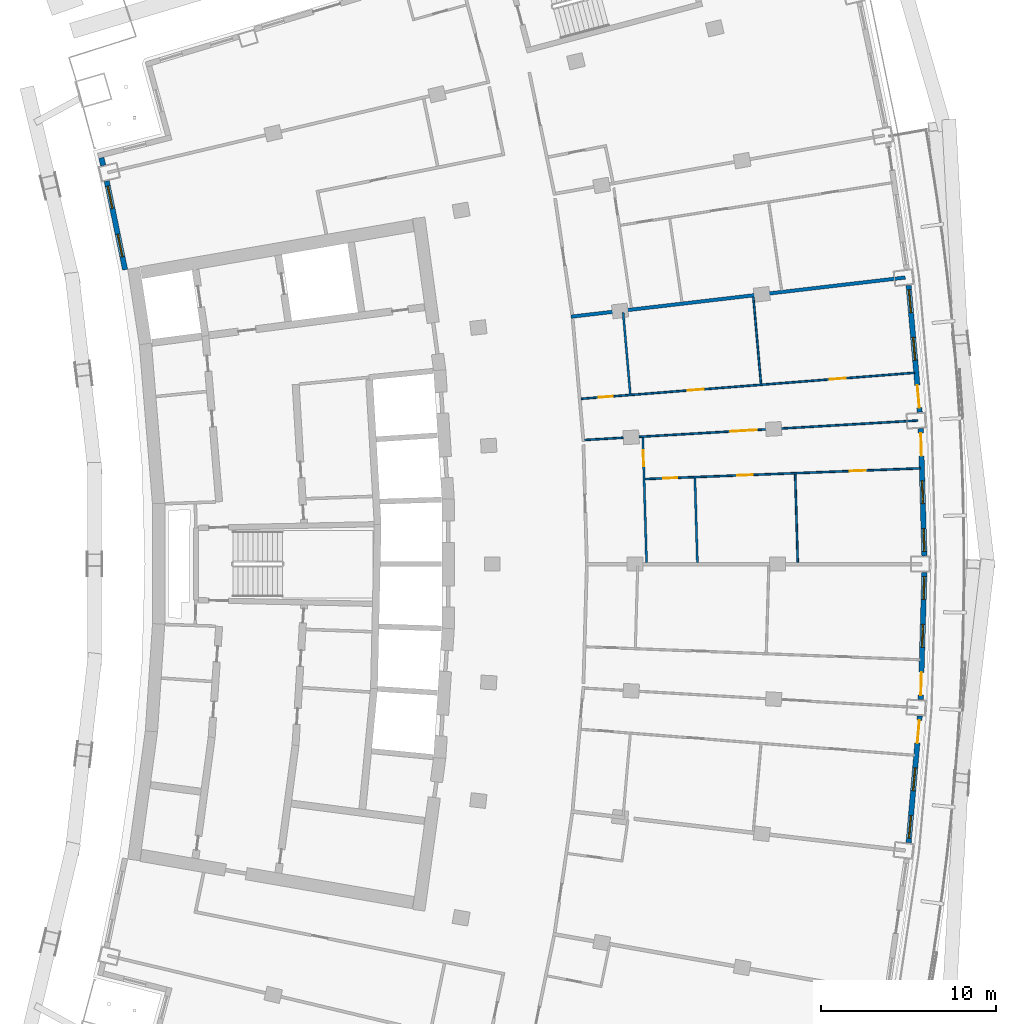
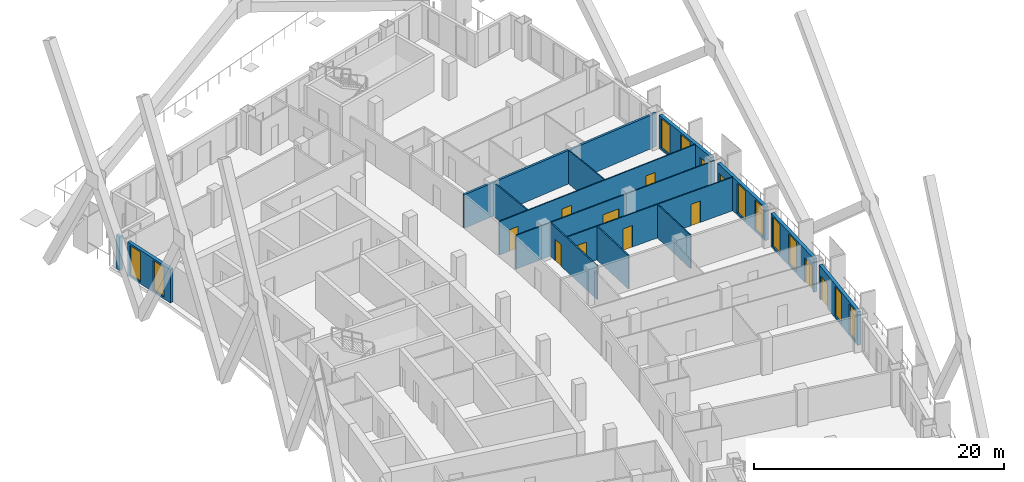
# One storey, part 14 of 20: 15 walls, 12 doors, 10 windows, 22 openings.
"""IFC4 building model written with IfcOpenShell, lengths in metres."""

from ifc_helpers import new_model, si_unit, direction, frame, frame_2d, origin, place, context, subcontext, project, spatial, rectangle, extrude, material, layer, layer_set, type_object, element, fill, save


model = new_model("IFC4")

# Units and contexts
model_context = context("Model", 3, precision=1e-05, world=origin(), true_north=direction((0.0, 1.0)))
body_context = subcontext(model_context, "Body", "Model", "MODEL_VIEW")
ifc_project = project(units=[si_unit("LENGTHUNIT", "METRE"), si_unit("AREAUNIT", "SQUARE_METRE"), si_unit("VOLUMEUNIT", "CUBIC_METRE"), si_unit("PLANEANGLEUNIT", "RADIAN"), si_unit("MASSUNIT", "GRAM", prefix="KILO")], contexts=[model_context])

# Site, building, storey
site_placement = place(None, origin())
site = spatial("IfcSite", under=ifc_project, at=site_placement, CompositionType="ELEMENT")
building_placement = place(site_placement, origin())
building = spatial("IfcBuilding", under=site, at=building_placement, Name="Alderwake Tower", CompositionType="ELEMENT")
storey_placement = place(building_placement, frame((0.0, 0.0, 138.800048828125)))
storey = spatial("IfcBuildingStorey", under=building, at=storey_placement, Name="L33", CompositionType="ELEMENT", Elevation=138.800048828125)

# Wall, openings, door, windows
ifc_material_1 = material(Name="Precast concrete C50/60 spandrel panel", Category="concrete")
ifc_layer_1 = layer(ifc_material_1, 0.300048828125)
ifc_layer_set_1 = layer_set([ifc_layer_1], Name="External wall EW1 Precast concrete C50/60 spandrel")
wall_type_1 = type_object("IfcWallType", Name="External wall EW1 Precast concrete C50/60 spandrel", PredefinedType="SOLIDWALL", material=ifc_layer_set_1)
wall_1_placement = place(storey_placement, frame((59.53662109375, 45.12255859375, 0.0), z_axis=(0.0, 0.0, 1.0), x_axis=(0.08737260162, 0.996175701614, 0.0)))
wall_1 = element("IfcWall", 1, at=wall_1_placement, inside=storey, type_object=wall_type_1, Name="External wall 14", PredefinedType="SOLIDWALL", context=body_context, shape_type="SweptSolid", body=[
    extrude(rectangle(XDim=7.245361328125, YDim=0.300048828125, at=frame_2d((3.62255859375, 0.0))), origin(), (0.0, 0.0, 1.0), 3.280029296875),
])
opening_1_placement = place(wall_1_placement, frame((0.2470703125, 0.0, 0.199951171875)))
opening_1 = element("IfcOpeningElement", 2, at=opening_1_placement, cuts=wall_1, Name="Opening W1", PredefinedType="OPENING", context=body_context, shape_type="SweptSolid", body=[
    extrude(rectangle(XDim=1.300048828125, YDim=2.89990234375, at=frame_2d((0.64990234375, 1.449951171875))), frame((0.0, 0.159912109375, 0.0), z_axis=(0.0, -1.0, 0.0), x_axis=(1.0, 0.0, 0.0)), (0.0, 0.0, 1.0), 0.320068359375),
])
opening_2_placement = place(wall_1_placement, frame((2.97265625, 0.0, 0.199951171875)))
opening_2 = element("IfcOpeningElement", 3, at=opening_2_placement, cuts=wall_1, Name="Opening W1", PredefinedType="OPENING", context=body_context, shape_type="SweptSolid", body=[
    extrude(rectangle(XDim=1.300048828125, YDim=2.89990234375, at=frame_2d((0.64990234375, 1.449951171875))), frame((0.0, 0.159912109375, 0.0), z_axis=(0.0, -1.0, 0.0), x_axis=(1.0, 0.0, 0.0)), (0.0, 0.0, 1.0), 0.320068359375),
])
opening_3_placement = place(wall_1_placement, frame((5.698486328125, 0.0, 0.0)))
opening_3 = element("IfcOpeningElement", 4, at=opening_3_placement, cuts=wall_1, Name="Opening D04", PredefinedType="OPENING", context=body_context, shape_type="SweptSolid", body=[
    extrude(rectangle(XDim=1.300048828125, YDim=2.39990234375, at=frame_2d((0.64990234375, 1.199951171875))), frame((0.0, 0.159912109375, 0.0), z_axis=(0.0, -1.0, 0.0), x_axis=(1.0, 0.0, 0.0)), (0.0, 0.0, 1.0), 0.320068359375),
])
ifc_material_2 = material(Name="Bronze tinted glass in aluminium frame", Category="aluminium")
door_type_1 = type_object("IfcDoorType", Name="Balcony door BD sliding", OperationType="SLIDING_TO_LEFT", PredefinedType="DOOR", material=ifc_material_2)
door_1_placement = place(opening_3_placement, origin())
door_1 = element("IfcDoor", 5, at=door_1_placement, inside=storey, type_object=door_type_1, Name="Door D04", OperationType="SLIDING_TO_LEFT", OverallHeight=2.39990234375, OverallWidth=1.300048828125, PredefinedType="DOOR", context=body_context, shape_type="SweptSolid", body=[
    extrude(rectangle(XDim=1.300048828125, YDim=2.39990234375, at=frame_2d((0.64990234375, 1.199951171875))), frame((0.0, 0.02490234375, 0.0), z_axis=(0.0, -1.0, 0.0), x_axis=(1.0, 0.0, 0.0)), (0.0, 0.0, 1.0), 0.050048828125),
])
fill(opening_3, door_1)
ifc_material_3 = material(Name="Bronze tinted glass in aluminium frame", Category="aluminium")
window_type = type_object("IfcWindowType", Name="Window W1 tall fixed and vent", PartitioningType="DOUBLE_PANEL_VERTICAL", PredefinedType="WINDOW", material=ifc_material_3)
window_1_placement = place(opening_1_placement, origin())
window_1 = element("IfcWindow", 6, at=window_1_placement, inside=storey, type_object=window_type, Name="Window W1 tall fixed and vent", OverallHeight=2.89990234375, OverallWidth=1.300048828125, PartitioningType="DOUBLE_PANEL_VERTICAL", PredefinedType="WINDOW", context=body_context, shape_type="SweptSolid", body=[
    extrude(rectangle(XDim=1.300048828125, YDim=2.89990234375, at=frame_2d((0.64990234375, 1.449951171875))), frame((0.0, 0.030029296875, 0.0), z_axis=(0.0, -1.0, 0.0), x_axis=(1.0, 0.0, 0.0)), (0.0, 0.0, 1.0), 0.06005859375),
])
fill(opening_1, window_1)
window_2_placement = place(opening_2_placement, origin())
window_2 = element("IfcWindow", 7, at=window_2_placement, inside=storey, type_object=window_type, Name="Window W1 tall fixed and vent", OverallHeight=2.89990234375, OverallWidth=1.300048828125, PartitioningType="DOUBLE_PANEL_VERTICAL", PredefinedType="WINDOW", context=body_context, shape_type="SweptSolid", body=[
    extrude(rectangle(XDim=1.300048828125, YDim=2.89990234375, at=frame_2d((0.64990234375, 1.449951171875))), frame((0.0, 0.030029296875, 0.0), z_axis=(0.0, -1.0, 0.0), x_axis=(1.0, 0.0, 0.0)), (0.0, 0.0, 1.0), 0.06005859375),
])
fill(opening_2, window_2)

wall_2_placement = place(storey_placement, frame((60.224853515625, 53.28466796875, 0.0), z_axis=(0.0, 0.0, 1.0), x_axis=(0.02918022007, 0.999574166711, 0.0)))
wall_2 = element("IfcWall", 8, at=wall_2_placement, inside=storey, type_object=wall_type_1, Name="External wall 15", PredefinedType="SOLIDWALL", context=body_context, shape_type="SweptSolid", body=[
    extrude(rectangle(XDim=7.24560546875, YDim=0.300048828125, at=frame_2d((3.622802734375, 0.0))), origin(), (0.0, 0.0, 1.0), 3.280029296875),
])
opening_4_placement = place(wall_2_placement, frame((0.2470703125, 0.0, 0.0)))
opening_4 = element("IfcOpeningElement", 9, at=opening_4_placement, cuts=wall_2, Name="Opening D05", PredefinedType="OPENING", context=body_context, shape_type="SweptSolid", body=[
    extrude(rectangle(XDim=1.300048828125, YDim=2.39990234375, at=frame_2d((0.64990234375, 1.199951171875))), frame((0.0, 0.159912109375, 0.0), z_axis=(0.0, -1.0, 0.0), x_axis=(1.0, 0.0, 0.0)), (0.0, 0.0, 1.0), 0.320068359375),
])
opening_5_placement = place(wall_2_placement, frame((2.97265625, 0.0, 0.199951171875)))
opening_5 = element("IfcOpeningElement", 10, at=opening_5_placement, cuts=wall_2, Name="Opening W1", PredefinedType="OPENING", context=body_context, shape_type="SweptSolid", body=[
    extrude(rectangle(XDim=1.300048828125, YDim=2.89990234375, at=frame_2d((0.64990234375, 1.449951171875))), frame((0.0, 0.159912109375, 0.0), z_axis=(0.0, -1.0, 0.0), x_axis=(1.0, 0.0, 0.0)), (0.0, 0.0, 1.0), 0.320068359375),
])
opening_6_placement = place(wall_2_placement, frame((5.698486328125, 0.0, 0.199951171875)))
opening_6 = element("IfcOpeningElement", 11, at=opening_6_placement, cuts=wall_2, Name="Opening W1", PredefinedType="OPENING", context=body_context, shape_type="SweptSolid", body=[
    extrude(rectangle(XDim=1.300048828125, YDim=2.89990234375, at=frame_2d((0.64990234375, 1.449951171875))), frame((0.0, 0.159912109375, 0.0), z_axis=(0.0, -1.0, 0.0), x_axis=(1.0, 0.0, 0.0)), (0.0, 0.0, 1.0), 0.320068359375),
])
door_2_placement = place(opening_4_placement, origin())
door_2 = element("IfcDoor", 12, at=door_2_placement, inside=storey, type_object=door_type_1, Name="Door D05", OperationType="SLIDING_TO_LEFT", OverallHeight=2.39990234375, OverallWidth=1.300048828125, PredefinedType="DOOR", context=body_context, shape_type="SweptSolid", body=[
    extrude(rectangle(XDim=1.300048828125, YDim=2.39990234375, at=frame_2d((0.64990234375, 1.199951171875))), frame((0.0, 0.02490234375, 0.0), z_axis=(0.0, -1.0, 0.0), x_axis=(1.0, 0.0, 0.0)), (0.0, 0.0, 1.0), 0.050048828125),
])
fill(opening_4, door_2)
window_3_placement = place(opening_5_placement, origin())
window_3 = element("IfcWindow", 13, at=window_3_placement, inside=storey, type_object=window_type, Name="Window W1 tall fixed and vent", OverallHeight=2.89990234375, OverallWidth=1.300048828125, PartitioningType="DOUBLE_PANEL_VERTICAL", PredefinedType="WINDOW", context=body_context, shape_type="SweptSolid", body=[
    extrude(rectangle(XDim=1.300048828125, YDim=2.89990234375, at=frame_2d((0.64990234375, 1.449951171875))), frame((0.0, 0.030029296875, 0.0), z_axis=(0.0, -1.0, 0.0), x_axis=(1.0, 0.0, 0.0)), (0.0, 0.0, 1.0), 0.06005859375),
])
fill(opening_5, window_3)
window_4_placement = place(opening_6_placement, origin())
window_4 = element("IfcWindow", 14, at=window_4_placement, inside=storey, type_object=window_type, Name="Window W1 tall fixed and vent", OverallHeight=2.89990234375, OverallWidth=1.300048828125, PartitioningType="DOUBLE_PANEL_VERTICAL", PredefinedType="WINDOW", context=body_context, shape_type="SweptSolid", body=[
    extrude(rectangle(XDim=1.300048828125, YDim=2.89990234375, at=frame_2d((0.64990234375, 1.449951171875))), frame((0.0, 0.030029296875, 0.0), z_axis=(0.0, -1.0, 0.0), x_axis=(1.0, 0.0, 0.0)), (0.0, 0.0, 1.0), 0.06005859375),
])
fill(opening_6, window_4)

wall_3_placement = place(storey_placement, frame((60.436279296875, 61.472900390625, 0.0), z_axis=(0.0, 0.0, 1.0), x_axis=(-0.02918022007, 0.999574166711, 0.0)))
wall_3 = element("IfcWall", 15, at=wall_3_placement, inside=storey, type_object=wall_type_1, Name="External wall 16", PredefinedType="SOLIDWALL", context=body_context, shape_type="SweptSolid", body=[
    extrude(rectangle(XDim=7.24560546875, YDim=0.300048828125, at=frame_2d((3.622802734375, 0.0))), origin(), (0.0, 0.0, 1.0), 3.280029296875),
])
opening_7_placement = place(wall_3_placement, frame((0.2470703125, 0.0, 0.199951171875)))
opening_7 = element("IfcOpeningElement", 16, at=opening_7_placement, cuts=wall_3, Name="Opening W1", PredefinedType="OPENING", context=body_context, shape_type="SweptSolid", body=[
    extrude(rectangle(XDim=1.300048828125, YDim=2.89990234375, at=frame_2d((0.64990234375, 1.449951171875))), frame((0.0, 0.159912109375, 0.0), z_axis=(0.0, -1.0, 0.0), x_axis=(1.0, 0.0, 0.0)), (0.0, 0.0, 1.0), 0.320068359375),
])
opening_8_placement = place(wall_3_placement, frame((2.97265625, 0.0, 0.199951171875)))
opening_8 = element("IfcOpeningElement", 17, at=opening_8_placement, cuts=wall_3, Name="Opening W1", PredefinedType="OPENING", context=body_context, shape_type="SweptSolid", body=[
    extrude(rectangle(XDim=1.300048828125, YDim=2.89990234375, at=frame_2d((0.64990234375, 1.449951171875))), frame((0.0, 0.159912109375, 0.0), z_axis=(0.0, -1.0, 0.0), x_axis=(1.0, 0.0, 0.0)), (0.0, 0.0, 1.0), 0.320068359375),
])
opening_9_placement = place(wall_3_placement, frame((5.698486328125, 0.0, 0.0)))
opening_9 = element("IfcOpeningElement", 18, at=opening_9_placement, cuts=wall_3, Name="Opening D06", PredefinedType="OPENING", context=body_context, shape_type="SweptSolid", body=[
    extrude(rectangle(XDim=1.300048828125, YDim=2.39990234375, at=frame_2d((0.64990234375, 1.199951171875))), frame((0.0, 0.159912109375, 0.0), z_axis=(0.0, -1.0, 0.0), x_axis=(1.0, 0.0, 0.0)), (0.0, 0.0, 1.0), 0.320068359375),
])
door_3_placement = place(opening_9_placement, origin())
door_3 = element("IfcDoor", 19, at=door_3_placement, inside=storey, type_object=door_type_1, Name="Door D06", OperationType="SLIDING_TO_LEFT", OverallHeight=2.39990234375, OverallWidth=1.300048828125, PredefinedType="DOOR", context=body_context, shape_type="SweptSolid", body=[
    extrude(rectangle(XDim=1.300048828125, YDim=2.39990234375, at=frame_2d((0.64990234375, 1.199951171875))), frame((0.0, 0.02490234375, 0.0), z_axis=(0.0, -1.0, 0.0), x_axis=(1.0, 0.0, 0.0)), (0.0, 0.0, 1.0), 0.050048828125),
])
fill(opening_9, door_3)
window_5_placement = place(opening_7_placement, origin())
window_5 = element("IfcWindow", 20, at=window_5_placement, inside=storey, type_object=window_type, Name="Window W1 tall fixed and vent", OverallHeight=2.89990234375, OverallWidth=1.300048828125, PartitioningType="DOUBLE_PANEL_VERTICAL", PredefinedType="WINDOW", context=body_context, shape_type="SweptSolid", body=[
    extrude(rectangle(XDim=1.300048828125, YDim=2.89990234375, at=frame_2d((0.64990234375, 1.449951171875))), frame((0.0, 0.030029296875, 0.0), z_axis=(0.0, -1.0, 0.0), x_axis=(1.0, 0.0, 0.0)), (0.0, 0.0, 1.0), 0.06005859375),
])
fill(opening_7, window_5)
window_6_placement = place(opening_8_placement, origin())
window_6 = element("IfcWindow", 21, at=window_6_placement, inside=storey, type_object=window_type, Name="Window W1 tall fixed and vent", OverallHeight=2.89990234375, OverallWidth=1.300048828125, PartitioningType="DOUBLE_PANEL_VERTICAL", PredefinedType="WINDOW", context=body_context, shape_type="SweptSolid", body=[
    extrude(rectangle(XDim=1.300048828125, YDim=2.89990234375, at=frame_2d((0.64990234375, 1.449951171875))), frame((0.0, 0.030029296875, 0.0), z_axis=(0.0, -1.0, 0.0), x_axis=(1.0, 0.0, 0.0)), (0.0, 0.0, 1.0), 0.06005859375),
])
fill(opening_8, window_6)

wall_4_placement = place(storey_placement, frame((60.169677734375, 69.65966796875, 0.0), z_axis=(0.0, 0.0, 1.0), x_axis=(-0.08737260162, 0.996175701614, 0.0)))
wall_4 = element("IfcWall", 22, at=wall_4_placement, inside=storey, type_object=wall_type_1, Name="External wall 17", PredefinedType="SOLIDWALL", context=body_context, shape_type="SweptSolid", body=[
    extrude(rectangle(XDim=7.245361328125, YDim=0.300048828125, at=frame_2d((3.62255859375, 0.0))), origin(), (0.0, 0.0, 1.0), 3.280029296875),
])
opening_10_placement = place(wall_4_placement, frame((0.2470703125, 0.0, 0.0)))
opening_10 = element("IfcOpeningElement", 23, at=opening_10_placement, cuts=wall_4, Name="Opening D07", PredefinedType="OPENING", context=body_context, shape_type="SweptSolid", body=[
    extrude(rectangle(XDim=1.300048828125, YDim=2.39990234375, at=frame_2d((0.64990234375, 1.199951171875))), frame((0.0, 0.159912109375, 0.0), z_axis=(0.0, -1.0, 0.0), x_axis=(1.0, 0.0, 0.0)), (0.0, 0.0, 1.0), 0.320068359375),
])
opening_11_placement = place(wall_4_placement, frame((2.97265625, 0.0, 0.199951171875)))
opening_11 = element("IfcOpeningElement", 24, at=opening_11_placement, cuts=wall_4, Name="Opening W1", PredefinedType="OPENING", context=body_context, shape_type="SweptSolid", body=[
    extrude(rectangle(XDim=1.300048828125, YDim=2.89990234375, at=frame_2d((0.64990234375, 1.449951171875))), frame((0.0, 0.159912109375, 0.0), z_axis=(0.0, -1.0, 0.0), x_axis=(1.0, 0.0, 0.0)), (0.0, 0.0, 1.0), 0.320068359375),
])
opening_12_placement = place(wall_4_placement, frame((5.698486328125, 0.0, 0.199951171875)))
opening_12 = element("IfcOpeningElement", 25, at=opening_12_placement, cuts=wall_4, Name="Opening W1", PredefinedType="OPENING", context=body_context, shape_type="SweptSolid", body=[
    extrude(rectangle(XDim=1.300048828125, YDim=2.89990234375, at=frame_2d((0.64990234375, 1.449951171875))), frame((0.0, 0.159912109375, 0.0), z_axis=(0.0, -1.0, 0.0), x_axis=(1.0, 0.0, 0.0)), (0.0, 0.0, 1.0), 0.320068359375),
])
door_4_placement = place(opening_10_placement, origin())
door_4 = element("IfcDoor", 26, at=door_4_placement, inside=storey, type_object=door_type_1, Name="Door D07", OperationType="SLIDING_TO_LEFT", OverallHeight=2.39990234375, OverallWidth=1.300048828125, PredefinedType="DOOR", context=body_context, shape_type="SweptSolid", body=[
    extrude(rectangle(XDim=1.300048828125, YDim=2.39990234375, at=frame_2d((0.64990234375, 1.199951171875))), frame((0.0, 0.02490234375, 0.0), z_axis=(0.0, -1.0, 0.0), x_axis=(1.0, 0.0, 0.0)), (0.0, 0.0, 1.0), 0.050048828125),
])
fill(opening_10, door_4)
window_7_placement = place(opening_11_placement, origin())
window_7 = element("IfcWindow", 27, at=window_7_placement, inside=storey, type_object=window_type, Name="Window W1 tall fixed and vent", OverallHeight=2.89990234375, OverallWidth=1.300048828125, PartitioningType="DOUBLE_PANEL_VERTICAL", PredefinedType="WINDOW", context=body_context, shape_type="SweptSolid", body=[
    extrude(rectangle(XDim=1.300048828125, YDim=2.89990234375, at=frame_2d((0.64990234375, 1.449951171875))), frame((0.0, 0.030029296875, 0.0), z_axis=(0.0, -1.0, 0.0), x_axis=(1.0, 0.0, 0.0)), (0.0, 0.0, 1.0), 0.06005859375),
])
fill(opening_11, window_7)
window_8_placement = place(opening_12_placement, origin())
window_8 = element("IfcWindow", 28, at=window_8_placement, inside=storey, type_object=window_type, Name="Window W1 tall fixed and vent", OverallHeight=2.89990234375, OverallWidth=1.300048828125, PartitioningType="DOUBLE_PANEL_VERTICAL", PredefinedType="WINDOW", context=body_context, shape_type="SweptSolid", body=[
    extrude(rectangle(XDim=1.300048828125, YDim=2.89990234375, at=frame_2d((0.64990234375, 1.449951171875))), frame((0.0, 0.030029296875, 0.0), z_axis=(0.0, -1.0, 0.0), x_axis=(1.0, 0.0, 0.0)), (0.0, 0.0, 1.0), 0.06005859375),
])
fill(opening_12, window_8)

# Wall
wall_5_placement = place(storey_placement, frame((13.523193359375, 84.1572265625, 0.0), z_axis=(0.0, 0.0, 1.0), x_axis=(0.238729806706, -0.97108603089, 0.0)))
element("IfcWall", 29, at=wall_5_placement, inside=storey, type_object=wall_type_1, Name="External wall 30", PredefinedType="SOLIDWALL", context=body_context, shape_type="SweptSolid", body=[
    extrude(rectangle(XDim=0.453125, YDim=0.300048828125, at=frame_2d((0.2265625, 0.0))), origin(), (0.0, 0.0, 1.0), 3.280029296875),
])

# Wall, openings, windows
wall_6_placement = place(storey_placement, frame((13.83203125, 82.8291015625, 0.0), z_axis=(0.0, 0.0, 1.0), x_axis=(0.202754243564, -0.979229654737, 0.0)))
wall_6 = element("IfcWall", 30, at=wall_6_placement, inside=storey, type_object=wall_type_1, Name="External wall 31", PredefinedType="SOLIDWALL", context=body_context, shape_type="SweptSolid", body=[
    extrude(rectangle(XDim=5.15966796875, YDim=0.300048828125, at=frame_2d((2.579833984375, 0.0))), origin(), (0.0, 0.0, 1.0), 3.280029296875),
])
opening_13_placement = place(wall_6_placement, frame((0.29052734375, 0.0, 0.199951171875)))
opening_13 = element("IfcOpeningElement", 31, at=opening_13_placement, cuts=wall_6, Name="Opening W1", PredefinedType="OPENING", context=body_context, shape_type="SweptSolid", body=[
    extrude(rectangle(XDim=1.300048828125, YDim=2.89990234375, at=frame_2d((0.64990234375, 1.449951171875))), frame((0.0, 0.159912109375, 0.0), z_axis=(0.0, -1.0, 0.0), x_axis=(1.0, 0.0, 0.0)), (0.0, 0.0, 1.0), 0.320068359375),
])
opening_14_placement = place(wall_6_placement, frame((3.103271484375, 0.0, 0.199951171875)))
opening_14 = element("IfcOpeningElement", 32, at=opening_14_placement, cuts=wall_6, Name="Opening W1", PredefinedType="OPENING", context=body_context, shape_type="SweptSolid", body=[
    extrude(rectangle(XDim=1.300048828125, YDim=2.89990234375, at=frame_2d((0.64990234375, 1.449951171875))), frame((0.0, 0.159912109375, 0.0), z_axis=(0.0, -1.0, 0.0), x_axis=(1.0, 0.0, 0.0)), (0.0, 0.0, 1.0), 0.320068359375),
])
window_9_placement = place(opening_13_placement, origin())
window_9 = element("IfcWindow", 33, at=window_9_placement, inside=storey, type_object=window_type, Name="Window W1 tall fixed and vent", OverallHeight=2.89990234375, OverallWidth=1.300048828125, PartitioningType="DOUBLE_PANEL_VERTICAL", PredefinedType="WINDOW", context=body_context, shape_type="SweptSolid", body=[
    extrude(rectangle(XDim=1.300048828125, YDim=2.89990234375, at=frame_2d((0.64990234375, 1.449951171875))), frame((0.0, 0.030029296875, 0.0), z_axis=(0.0, -1.0, 0.0), x_axis=(1.0, 0.0, 0.0)), (0.0, 0.0, 1.0), 0.06005859375),
])
fill(opening_13, window_9)
window_10_placement = place(opening_14_placement, origin())
window_10 = element("IfcWindow", 34, at=window_10_placement, inside=storey, type_object=window_type, Name="Window W1 tall fixed and vent", OverallHeight=2.89990234375, OverallWidth=1.300048828125, PartitioningType="DOUBLE_PANEL_VERTICAL", PredefinedType="WINDOW", context=body_context, shape_type="SweptSolid", body=[
    extrude(rectangle(XDim=1.300048828125, YDim=2.89990234375, at=frame_2d((0.64990234375, 1.449951171875))), frame((0.0, 0.030029296875, 0.0), z_axis=(0.0, -1.0, 0.0), x_axis=(1.0, 0.0, 0.0)), (0.0, 0.0, 1.0), 0.06005859375),
])
fill(opening_14, window_10)

# Wall
ifc_material_4 = material(Name="Dense block masonry wall", Category="masonry")
ifc_layer_2 = layer(ifc_material_4, 0.199951171875)
ifc_layer_set_2 = layer_set([ifc_layer_2], Name="Party wall 200")
wall_type_2 = type_object("IfcWallType", Name="Party wall 200", PredefinedType="SOLIDWALL", material=ifc_layer_set_2)
wall_7_placement = place(storey_placement, frame((40.297607421875, 75.0986328125, 0.0), z_axis=(0.0, 0.0, 1.0), x_axis=(0.993202294783, 0.116401037957, 0.0)))
element("IfcWall", 35, at=wall_7_placement, inside=storey, type_object=wall_type_2, Name="WL/L33/W01", PredefinedType="SOLIDWALL", context=body_context, shape_type="SweptSolid", body=[
    extrude(rectangle(XDim=19.1787109375, YDim=0.199951171875, at=frame_2d((9.58935546875, 0.0))), origin(), (0.0, 0.0, 1.0), 3.280029296875),
])

# Wall, openings, doors
ifc_material_5 = material(Name="Gypsum board on metal studs")
ifc_layer_3 = layer(ifc_material_5, 0.10009765625)
ifc_layer_set_3 = layer_set([ifc_layer_3], Name="Unit partition 100")
wall_type_3 = type_object("IfcWallType", Name="Unit partition 100", PredefinedType="PARTITIONING", material=ifc_layer_set_3)
wall_8_placement = place(storey_placement, frame((40.867919921875, 70.419189453125, 0.0), z_axis=(0.0, 0.0, 1.0), x_axis=(0.996975008821, 0.077722788071, 0.0)))
wall_8 = element("IfcWall", 36, at=wall_8_placement, inside=storey, type_object=wall_type_3, Name="WL/L33/W46", PredefinedType="PARTITIONING", context=body_context, shape_type="SweptSolid", body=[
    extrude(rectangle(XDim=19.063720703125, YDim=0.10009765625, at=frame_2d((9.53173828125, 0.0))), origin(), (0.0, 0.0, 1.0), 3.280029296875),
])
opening_15_placement = place(wall_8_placement, frame((6.10400390625, 0.0, 0.0)))
opening_15 = element("IfcOpeningElement", 37, at=opening_15_placement, cuts=wall_8, Name="Opening R09-U06.6", PredefinedType="OPENING", context=body_context, shape_type="SweptSolid", body=[
    extrude(rectangle(XDim=0.89990234375, YDim=2.10009765625, at=frame_2d((0.449951171875, 1.050048828125))), frame((0.0, 0.06005859375, 0.0), z_axis=(0.0, -1.0, 0.0), x_axis=(1.0, 0.0, 0.0)), (0.0, 0.0, 1.0), 0.1201171875),
])
opening_16_placement = place(wall_8_placement, frame((1.009521484375, 0.0, 0.0)))
opening_16 = element("IfcOpeningElement", 38, at=opening_16_placement, cuts=wall_8, Name="Opening R09-U06.7", PredefinedType="OPENING", context=body_context, shape_type="SweptSolid", body=[
    extrude(rectangle(XDim=0.800048828125, YDim=2.10009765625, at=frame_2d((0.39990234375, 1.050048828125))), frame((0.0, 0.06005859375, 0.0), z_axis=(0.0, -1.0, 0.0), x_axis=(1.0, 0.0, 0.0)), (0.0, 0.0, 1.0), 0.1201171875),
])
opening_17_placement = place(wall_8_placement, frame((14.225830078125, 0.0, 0.0)))
opening_17 = element("IfcOpeningElement", 39, at=opening_17_placement, cuts=wall_8, Name="Opening R09-U06.8", PredefinedType="OPENING", context=body_context, shape_type="SweptSolid", body=[
    extrude(rectangle(XDim=0.89990234375, YDim=2.10009765625, at=frame_2d((0.449951171875, 1.050048828125))), frame((0.0, 0.06005859375, 0.0), z_axis=(0.0, -1.0, 0.0), x_axis=(1.0, 0.0, 0.0)), (0.0, 0.0, 1.0), 0.1201171875),
])
ifc_material_6 = material(Name="Painted timber leaf", Category="wood")
door_type_2 = type_object("IfcDoorType", Name="Bathroom door 800", OperationType="SINGLE_SWING_LEFT", PredefinedType="DOOR", material=ifc_material_6)
door_5_placement = place(opening_16_placement, origin())
door_5 = element("IfcDoor", 40, at=door_5_placement, inside=storey, type_object=door_type_2, Name="DR/L33/U06.7", OperationType="SINGLE_SWING_LEFT", OverallHeight=2.10009765625, OverallWidth=0.800048828125, PredefinedType="DOOR", context=body_context, shape_type="SweptSolid", body=[
    extrude(rectangle(XDim=0.800048828125, YDim=2.10009765625, at=frame_2d((0.39990234375, 1.050048828125))), frame((0.0, 0.02490234375, 0.0), z_axis=(0.0, -1.0, 0.0), x_axis=(1.0, 0.0, 0.0)), (0.0, 0.0, 1.0), 0.050048828125),
])
fill(opening_16, door_5)
ifc_material_7 = material(Name="Painted timber leaf", Category="wood")
door_type_3 = type_object("IfcDoorType", Name="Room door 900", OperationType="SINGLE_SWING_LEFT", PredefinedType="DOOR", material=ifc_material_7)
door_6_placement = place(opening_15_placement, origin())
door_6 = element("IfcDoor", 41, at=door_6_placement, inside=storey, type_object=door_type_3, Name="DR/L33/U06.6", OperationType="SINGLE_SWING_LEFT", OverallHeight=2.10009765625, OverallWidth=0.89990234375, PredefinedType="DOOR", context=body_context, shape_type="SweptSolid", body=[
    extrude(rectangle(XDim=0.89990234375, YDim=2.10009765625, at=frame_2d((0.449951171875, 1.050048828125))), frame((0.0, 0.02490234375, 0.0), z_axis=(0.0, -1.0, 0.0), x_axis=(1.0, 0.0, 0.0)), (0.0, 0.0, 1.0), 0.050048828125),
])
fill(opening_15, door_6)
door_7_placement = place(opening_17_placement, origin())
door_7 = element("IfcDoor", 42, at=door_7_placement, inside=storey, type_object=door_type_3, Name="DR/L33/U06.8", OperationType="SINGLE_SWING_LEFT", OverallHeight=2.10009765625, OverallWidth=0.89990234375, PredefinedType="DOOR", context=body_context, shape_type="SweptSolid", body=[
    extrude(rectangle(XDim=0.89990234375, YDim=2.10009765625, at=frame_2d((0.449951171875, 1.050048828125))), frame((0.0, 0.02490234375, 0.0), z_axis=(0.0, -1.0, 0.0), x_axis=(1.0, 0.0, 0.0)), (0.0, 0.0, 1.0), 0.050048828125),
])
fill(opening_17, door_7)

# Wall, opening, door
wall_9_placement = place(storey_placement, frame((41.074951171875, 68.07177734375, 0.0), z_axis=(0.0, 0.0, 1.0), x_axis=(0.998300831889, 0.058270481797, 0.0)))
wall_9 = element("IfcWall", 43, at=wall_9_placement, inside=storey, type_object=wall_type_3, Name="WL/L33/W47", PredefinedType="PARTITIONING", context=body_context, shape_type="SweptSolid", body=[
    extrude(rectangle(XDim=19.017333984375, YDim=0.10009765625, at=frame_2d((9.5087890625, 0.0))), origin(), (0.0, 0.0, 1.0), 3.280029296875),
])
opening_18_placement = place(wall_9_placement, frame((8.32421875, 0.0, 0.0)))
opening_18 = element("IfcOpeningElement", 44, at=opening_18_placement, cuts=wall_9, Name="Opening R09-U06.9", PredefinedType="OPENING", context=body_context, shape_type="SweptSolid", body=[
    extrude(rectangle(XDim=1.5, YDim=2.10009765625, at=frame_2d((0.75, 1.050048828125))), frame((0.0, 0.06005859375, 0.0), z_axis=(0.0, -1.0, 0.0), x_axis=(1.0, 0.0, 0.0)), (0.0, 0.0, 1.0), 0.1201171875),
])
ifc_material_8 = material(Name="Painted timber leaves", Category="wood")
door_type_4 = type_object("IfcDoorType", Name="Double leaf door 1500", OperationType="DOUBLE_DOOR_SINGLE_SWING", PredefinedType="DOOR", material=ifc_material_8)
door_8_placement = place(opening_18_placement, origin())
door_8 = element("IfcDoor", 45, at=door_8_placement, inside=storey, type_object=door_type_4, Name="DR/L33/U06.9", OperationType="DOUBLE_DOOR_SINGLE_SWING", OverallHeight=2.10009765625, OverallWidth=1.5, PredefinedType="DOOR", context=body_context, shape_type="SweptSolid", body=[
    extrude(rectangle(XDim=1.5, YDim=2.10009765625, at=frame_2d((0.75, 1.050048828125))), frame((0.0, 0.02490234375, 0.0), z_axis=(0.0, -1.0, 0.0), x_axis=(1.0, 0.0, 0.0)), (0.0, 0.0, 1.0), 0.050048828125),
])
fill(opening_18, door_8)

# Wall, openings, doors
wall_10_placement = place(storey_placement, frame((60.19189453125, 66.4560546875, 0.0), z_axis=(0.0, 0.0, 1.0), x_axis=(-0.999243689467, -0.038885075029, 0.0)))
wall_10 = element("IfcWall", 46, at=wall_10_placement, inside=storey, type_object=wall_type_3, Name="WL/L33/W50", PredefinedType="PARTITIONING", context=body_context, shape_type="SweptSolid", body=[
    extrude(rectangle(XDim=15.683837890625, YDim=0.10009765625, at=frame_2d((7.841796875, 0.0))), origin(), (0.0, 0.0, 1.0), 3.280029296875),
])
opening_19_placement = place(wall_10_placement, frame((9.537353515625, 0.0, 0.0)))
opening_19 = element("IfcOpeningElement", 47, at=opening_19_placement, cuts=wall_10, Name="Opening R09-U06.1", PredefinedType="OPENING", context=body_context, shape_type="SweptSolid", body=[
    extrude(rectangle(XDim=0.89990234375, YDim=2.10009765625, at=frame_2d((0.449951171875, 1.050048828125))), frame((0.0, 0.06005859375, 0.0), z_axis=(0.0, -1.0, 0.0), x_axis=(1.0, 0.0, 0.0)), (0.0, 0.0, 1.0), 0.1201171875),
])
opening_20_placement = place(wall_10_placement, frame((13.864990234375, 0.0, 0.0)))
opening_20 = element("IfcOpeningElement", 48, at=opening_20_placement, cuts=wall_10, Name="Opening R09-U06.4", PredefinedType="OPENING", context=body_context, shape_type="SweptSolid", body=[
    extrude(rectangle(XDim=0.800048828125, YDim=2.10009765625, at=frame_2d((0.39990234375, 1.050048828125))), frame((0.0, 0.06005859375, 0.0), z_axis=(0.0, -1.0, 0.0), x_axis=(1.0, 0.0, 0.0)), (0.0, 0.0, 1.0), 0.1201171875),
])
opening_21_placement = place(wall_10_placement, frame((3.114990234375, 0.0, 0.0)))
opening_21 = element("IfcOpeningElement", 49, at=opening_21_placement, cuts=wall_10, Name="Opening R09-U06.5", PredefinedType="OPENING", context=body_context, shape_type="SweptSolid", body=[
    extrude(rectangle(XDim=0.89990234375, YDim=2.10009765625, at=frame_2d((0.449951171875, 1.050048828125))), frame((0.0, 0.06005859375, 0.0), z_axis=(0.0, -1.0, 0.0), x_axis=(1.0, 0.0, 0.0)), (0.0, 0.0, 1.0), 0.1201171875),
])
door_9_placement = place(opening_20_placement, origin())
door_9 = element("IfcDoor", 50, at=door_9_placement, inside=storey, type_object=door_type_2, Name="DR/L33/U06.4", OperationType="SINGLE_SWING_LEFT", OverallHeight=2.10009765625, OverallWidth=0.800048828125, PredefinedType="DOOR", context=body_context, shape_type="SweptSolid", body=[
    extrude(rectangle(XDim=0.800048828125, YDim=2.10009765625, at=frame_2d((0.39990234375, 1.050048828125))), frame((0.0, 0.02490234375, 0.0), z_axis=(0.0, -1.0, 0.0), x_axis=(1.0, 0.0, 0.0)), (0.0, 0.0, 1.0), 0.050048828125),
])
fill(opening_20, door_9)
door_10_placement = place(opening_19_placement, origin())
door_10 = element("IfcDoor", 51, at=door_10_placement, inside=storey, type_object=door_type_3, Name="DR/L33/U06.1", OperationType="SINGLE_SWING_LEFT", OverallHeight=2.10009765625, OverallWidth=0.89990234375, PredefinedType="DOOR", context=body_context, shape_type="SweptSolid", body=[
    extrude(rectangle(XDim=0.89990234375, YDim=2.10009765625, at=frame_2d((0.449951171875, 1.050048828125))), frame((0.0, 0.02490234375, 0.0), z_axis=(0.0, -1.0, 0.0), x_axis=(1.0, 0.0, 0.0)), (0.0, 0.0, 1.0), 0.050048828125),
])
fill(opening_19, door_10)
door_11_placement = place(opening_21_placement, origin())
door_11 = element("IfcDoor", 52, at=door_11_placement, inside=storey, type_object=door_type_3, Name="DR/L33/U06.5", OperationType="SINGLE_SWING_LEFT", OverallHeight=2.10009765625, OverallWidth=0.89990234375, PredefinedType="DOOR", context=body_context, shape_type="SweptSolid", body=[
    extrude(rectangle(XDim=0.89990234375, YDim=2.10009765625, at=frame_2d((0.449951171875, 1.050048828125))), frame((0.0, 0.02490234375, 0.0), z_axis=(0.0, -1.0, 0.0), x_axis=(1.0, 0.0, 0.0)), (0.0, 0.0, 1.0), 0.050048828125),
])
fill(opening_21, door_11)

# Walls
wall_11_placement = place(storey_placement, frame((51.12158203125, 71.269775390625, 0.0), z_axis=(0.0, 0.0, 1.0), x_axis=(-0.087404299635, 0.996172920936, 0.0)))
element("IfcWall", 53, at=wall_11_placement, inside=storey, type_object=wall_type_3, Name="WL/L33/W52", PredefinedType="PARTITIONING", context=body_context, shape_type="SweptSolid", body=[
    extrude(rectangle(XDim=4.963623046875, YDim=0.10009765625, at=frame_2d((2.48193359375, 0.0))), origin(), (0.0, 0.0, 1.0), 3.280029296875),
])
wall_12_placement = place(storey_placement, frame((53.217041015625, 61.09912109375, 0.0), z_axis=(0.0, 0.0, 1.0), x_axis=(-0.02897685294, 0.999580082832, 0.0)))
element("IfcWall", 54, at=wall_12_placement, inside=storey, type_object=wall_type_3, Name="WL/L33/W55", PredefinedType="PARTITIONING", context=body_context, shape_type="SweptSolid", body=[
    extrude(rectangle(XDim=5.030029296875, YDim=0.10009765625, at=frame_2d((2.51513671875, 0.0))), origin(), (0.0, 0.0, 1.0), 3.280029296875),
])
ifc_material_9 = material(Name="Moisture resistant gypsum board on metal studs")
ifc_layer_4 = layer(ifc_material_9, 0.1201171875)
ifc_layer_set_4 = layer_set([ifc_layer_4], Name="Wet room partition 120")
wall_type_4 = type_object("IfcWallType", Name="Wet room partition 120", PredefinedType="PARTITIONING", material=ifc_layer_set_4)
wall_13_placement = place(storey_placement, frame((43.672607421875, 70.687744140625, 0.0), z_axis=(0.0, 0.0, 1.0), x_axis=(-0.087010256841, 0.996207415755, 0.0)))
element("IfcWall", 55, at=wall_13_placement, inside=storey, type_object=wall_type_4, Name="WL/L33/W40", PredefinedType="PARTITIONING", context=body_context, shape_type="SweptSolid", body=[
    extrude(rectangle(XDim=4.677490234375, YDim=0.1201171875, at=frame_2d((2.3388671875, 0.0))), origin(), (0.0, 0.0, 1.0), 3.280029296875),
])

# Wall, opening, door
wall_14_placement = place(storey_placement, frame((44.389404296875, 68.215087890625, 0.0), z_axis=(0.0, 0.0, 1.0), x_axis=(0.029321452598, -0.999570033773, 0.0)))
wall_14 = element("IfcWall", 56, at=wall_14_placement, inside=storey, type_object=wall_type_4, Name="WL/L33/W42", PredefinedType="PARTITIONING", context=body_context, shape_type="SweptSolid", body=[
    extrude(rectangle(XDim=7.119140625, YDim=0.1201171875, at=frame_2d((3.5595703125, 0.0))), origin(), (0.0, 0.0, 1.0), 3.280029296875),
])
opening_22_placement = place(wall_14_placement, frame((0.736572265625, 0.0, 0.0)))
opening_22 = element("IfcOpeningElement", 57, at=opening_22_placement, cuts=wall_14, Name="Opening R09-U06.3", PredefinedType="OPENING", context=body_context, shape_type="SweptSolid", body=[
    extrude(rectangle(XDim=0.89990234375, YDim=2.10009765625, at=frame_2d((0.449951171875, 1.050048828125))), frame((0.0, 0.070068359375, 0.0), z_axis=(0.0, -1.0, 0.0), x_axis=(1.0, 0.0, 0.0)), (0.0, 0.0, 1.0), 0.14013671875),
])
door_12_placement = place(opening_22_placement, origin())
door_12 = element("IfcDoor", 58, at=door_12_placement, inside=storey, type_object=door_type_3, Name="DR/L33/U06.3", OperationType="SINGLE_SWING_LEFT", OverallHeight=2.10009765625, OverallWidth=0.89990234375, PredefinedType="DOOR", context=body_context, shape_type="SweptSolid", body=[
    extrude(rectangle(XDim=0.89990234375, YDim=2.10009765625, at=frame_2d((0.449951171875, 1.050048828125))), frame((0.0, 0.02490234375, 0.0), z_axis=(0.0, -1.0, 0.0), x_axis=(1.0, 0.0, 0.0)), (0.0, 0.0, 1.0), 0.050048828125),
])
fill(opening_22, door_12)

# Wall
wall_15_placement = place(storey_placement, frame((47.49609375, 61.09912109375, 0.0), z_axis=(0.0, 0.0, 1.0), x_axis=(-0.029045398498, 0.99957809341, 0.0)))
element("IfcWall", 59, at=wall_15_placement, inside=storey, type_object=wall_type_4, Name="WL/L33/W44", PredefinedType="PARTITIONING", context=body_context, shape_type="SweptSolid", body=[
    extrude(rectangle(XDim=4.807861328125, YDim=0.1201171875, at=frame_2d((2.40380859375, 0.0))), origin(), (0.0, 0.0, 1.0), 3.280029296875),
])

save(model, "model.ifc")
